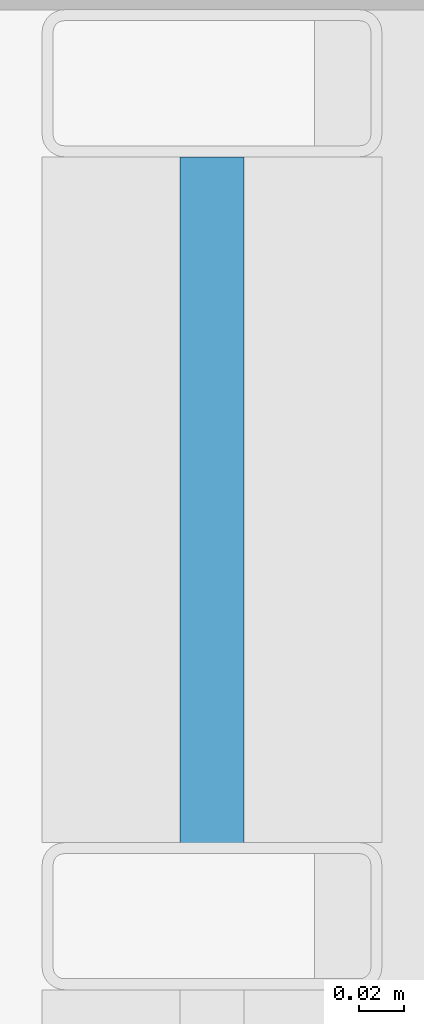
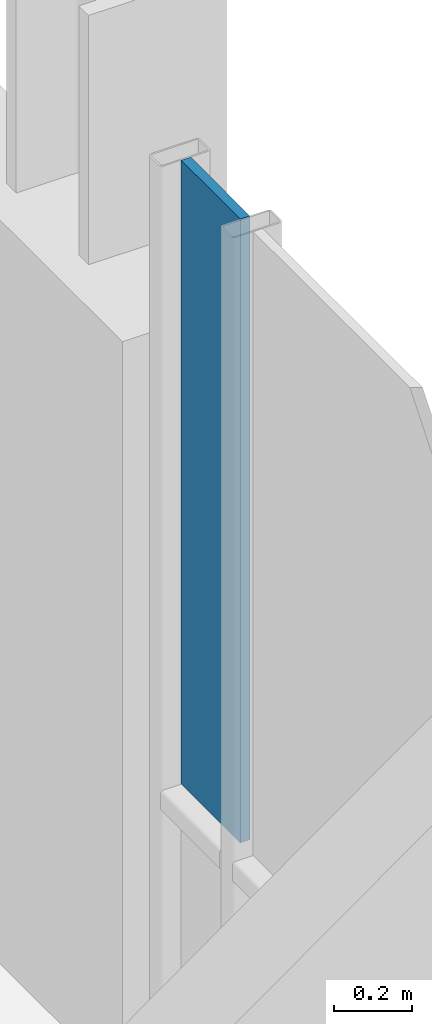
# One storey, part 30 of 41: 1 plate, 1 element without a shape of its own.
"""IFC4 building model written with IfcOpenShell, lengths in metres."""

from ifc_helpers import new_model, si_unit, direction, frame, origin, origin_2d, place, context, subcontext, project, spatial, rectangle, extrude, material, layer, layer_set, type_object, element, aggregate, save


model = new_model("IFC4")

# Units and contexts
model_context = context("Model", 3, precision=1e-05, world=origin(), true_north=direction((0.0, 1.0)))
body_context = subcontext(model_context, "Body", "Model", "MODEL_VIEW")
ifc_project = project(units=[si_unit("LENGTHUNIT", "METRE"), si_unit("AREAUNIT", "SQUARE_METRE"), si_unit("VOLUMEUNIT", "CUBIC_METRE"), si_unit("PLANEANGLEUNIT", "RADIAN"), si_unit("MASSUNIT", "GRAM", prefix="KILO")], contexts=[model_context])

# Site, building, storey
site_placement = place(None, origin())
site = spatial("IfcSite", under=ifc_project, at=site_placement, CompositionType="ELEMENT")
building_placement = place(site_placement, origin())
building = spatial("IfcBuilding", under=site, at=building_placement, Name="Brevholm Reach", CompositionType="ELEMENT")
storey_placement = place(building_placement, frame((0.0, 0.0, 138.699951171875)))
storey = spatial("IfcBuildingStorey", under=building, at=storey_placement, Name="L41", CompositionType="ELEMENT", Elevation=138.699951171875)

# Curtain wall, plate
ifc_material_1 = material(Name="Dark Anodised Aluminium 6063-T6 and Solar-Control Glass", Category="aluminium")
ifc_layer_1 = layer(ifc_material_1, 0.14990234375)
ifc_layer_set_1 = layer_set([ifc_layer_1], Name="Dark Anodised Aluminium 6063-T6 and Solar-Control Glass")
curtain_wall_type = type_object("IfcCurtainWallType", Name="CW-01", PredefinedType="NOTDEFINED", material=ifc_layer_set_1)
curtain_wall_placement = place(storey_placement, origin())
curtain_wall = element("IfcCurtainWall", 1, at=curtain_wall_placement, inside=storey, type_object=curtain_wall_type, Name="L41 Curtain Wall CW-01", PredefinedType="NOTDEFINED")
ifc_material_2 = material(Name="Dark Solar-Control Double-Glazed IGU Glass", Category="glass")
ifc_layer_2 = layer(ifc_material_2, 0.028076171875)
ifc_layer_set_2 = layer_set([ifc_layer_2], Name="Dark Solar-Control Double-Glazed IGU Glass")
plate_type = type_object("IfcPlateType", Name="CWP-GLZ-28", PredefinedType="CURTAIN_PANEL", material=ifc_layer_set_2)
plate_placement = place(storey_placement, frame((59.85009765625, 22.733642578125, 0.9326171875), z_axis=(0.0, 0.0, 1.0), x_axis=(0.0, 1.0, 0.0)))
plate = element("IfcPlate", 2, at=plate_placement, type_object=plate_type, Name="CP-01 Glazing Panel 5.2", PredefinedType="CURTAIN_PANEL", context=body_context, shape_type="SweptSolid", body=[
    extrude(rectangle(XDim=0.302490234375, YDim=0.028076171875, at=origin_2d()), origin(), (0.0, 0.0, 1.0), 1.947509765625),
])
aggregate(curtain_wall, [plate])

save(model, "model.ifc")
